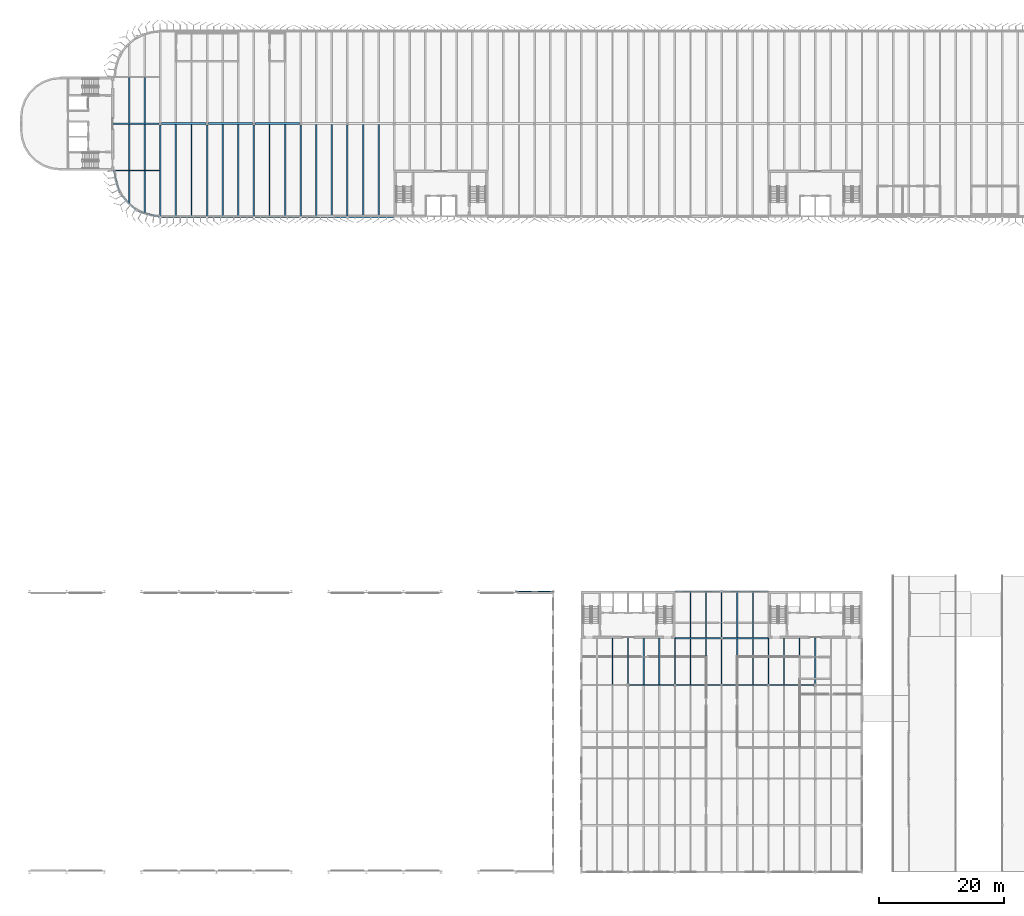
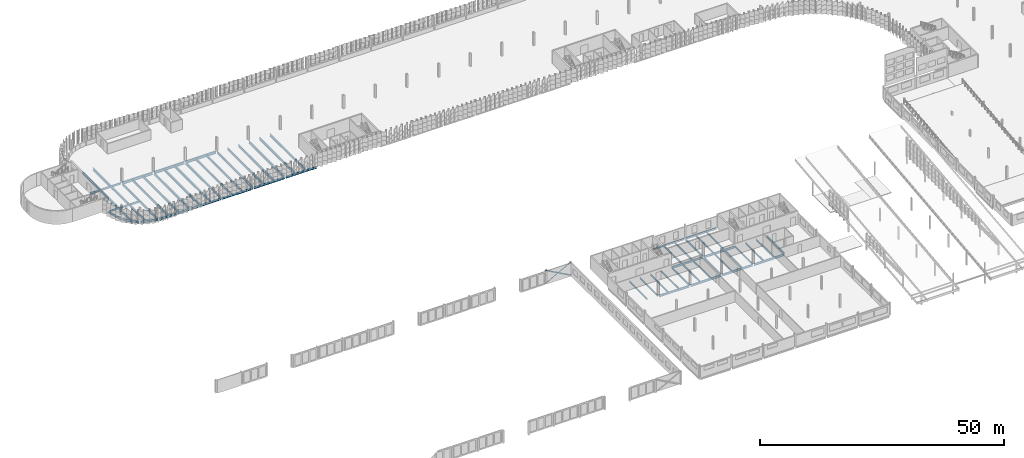
# One storey, part 30 of 199: 61 beams, 3 members.
"""IFC4 building model written with IfcOpenShell, lengths in metres."""

from ifc_helpers import new_model, si_unit, direction, frame, origin, origin_2d, place, context, subcontext, project, spatial, hollow_circle, i_section, extrude, material, material_profile, profile_set, type_object, element, save


model = new_model("IFC4")

# Units and contexts
model_context = context("Model", 3, precision=1e-05, world=origin(), true_north=direction((0.0, 1.0)))
body_context = subcontext(model_context, "Body", "Model", "MODEL_VIEW")
ifc_project = project(units=[si_unit("LENGTHUNIT", "METRE"), si_unit("AREAUNIT", "SQUARE_METRE"), si_unit("VOLUMEUNIT", "CUBIC_METRE"), si_unit("PLANEANGLEUNIT", "RADIAN"), si_unit("MASSUNIT", "GRAM", prefix="KILO")], contexts=[model_context])

# Site, building, storey
site_placement = place(None, origin())
site = spatial("IfcSite", under=ifc_project, at=site_placement, CompositionType="ELEMENT")
building_placement = place(site_placement, origin())
building = spatial("IfcBuilding", under=site, at=building_placement, Name="Parallax Yard Mobility Hub", CompositionType="ELEMENT")
storey_placement = place(building_placement, frame((0.0, 0.0, 9.89990234375)))
storey = spatial("IfcBuildingStorey", under=building, at=storey_placement, Name="L03", CompositionType="ELEMENT", Elevation=9.89990234375)

# Beams
ifc_material_1 = material(Name="Steel ASTM A992", Category="steel")
ifc_material_profile_1 = material_profile(ifc_material_1, i_section(OverallWidth=0.177978515625, OverallDepth=0.406005859375, WebThickness=0.0078125, FlangeThickness=0.0126953125, FilletRadius=0.01025390625, at=origin_2d()), Name="W410x60")
ifc_profile_set_1 = profile_set([ifc_material_profile_1], Name="Steel ASTM A992")
beam_type_1 = type_object("IfcBeamType", Name="W410x60 secondary beam", PredefinedType="JOIST", material=ifc_profile_set_1)
beam_1_placement = place(storey_placement, frame((107.5, 37.6044921875, -0.343017578125), z_axis=(0.0, 1.0, 0.0), x_axis=(-1.0, 0.0, 0.0)))
element("IfcBeam", 1, at=beam_1_placement, inside=storey, type_object=beam_type_1, Name="Secondary beam B1 level L03, 2.5 m east of line 15 of mobility service centre and workshops, span 5", PredefinedType="JOIST", context=body_context, shape_type="SweptSolid", body=[
    extrude(i_section(OverallWidth=0.177978515625, OverallDepth=0.406005859375, WebThickness=0.0078125, FlangeThickness=0.0126953125, FilletRadius=0.01025390625, at=origin_2d()), origin(), (0.0, 0.0, 1.0), 7.3955078125),
])
beam_2_placement = place(storey_placement, frame((115.0, 37.6044921875, -0.343017578125), z_axis=(0.0, 1.0, 0.0), x_axis=(-1.0, 0.0, 0.0)))
element("IfcBeam", 2, at=beam_2_placement, inside=storey, type_object=beam_type_1, Name="Secondary beam B1 level L03, 2.5 m east of line 16 of mobility service centre and workshops, span 5", PredefinedType="JOIST", context=body_context, shape_type="SweptSolid", body=[
    extrude(i_section(OverallWidth=0.177978515625, OverallDepth=0.406005859375, WebThickness=0.0078125, FlangeThickness=0.0126953125, FilletRadius=0.01025390625, at=origin_2d()), origin(), (0.0, 0.0, 1.0), 7.291015625),
])
beam_3_placement = place(storey_placement, frame((115.0, 45.1044921875, -0.343017578125), z_axis=(0.0, 1.0, 0.0), x_axis=(-1.0, 0.0, 0.0)))
element("IfcBeam", 3, at=beam_3_placement, inside=storey, type_object=beam_type_1, Name="Secondary beam B1 level L03, 2.5 m east of line 16 of mobility service centre and workshops, span 6", PredefinedType="JOIST", context=body_context, shape_type="SweptSolid", body=[
    extrude(i_section(OverallWidth=0.177978515625, OverallDepth=0.406005859375, WebThickness=0.0078125, FlangeThickness=0.0126953125, FilletRadius=0.01025390625, at=origin_2d()), origin(), (0.0, 0.0, 1.0), 7.305908203125),
])
beam_4_placement = place(storey_placement, frame((122.5, 37.6044921875, -0.343017578125), z_axis=(0.0, 1.0, 0.0), x_axis=(-1.0, 0.0, 0.0)))
element("IfcBeam", 4, at=beam_4_placement, inside=storey, type_object=beam_type_1, Name="Secondary beam B1 level L03, 2.5 m east of line 17 of mobility service centre and workshops, span 5", PredefinedType="JOIST", context=body_context, shape_type="SweptSolid", body=[
    extrude(i_section(OverallWidth=0.177978515625, OverallDepth=0.406005859375, WebThickness=0.0078125, FlangeThickness=0.0126953125, FilletRadius=0.01025390625, at=origin_2d()), origin(), (0.0, 0.0, 1.0), 7.291015625),
])
beam_5_placement = place(storey_placement, frame((122.5, 45.1044921875, -0.343017578125), z_axis=(0.0, 1.0, 0.0), x_axis=(-1.0, 0.0, 0.0)))
element("IfcBeam", 5, at=beam_5_placement, inside=storey, type_object=beam_type_1, Name="Secondary beam B1 level L03, 2.5 m east of line 17 of mobility service centre and workshops, span 6", PredefinedType="JOIST", context=body_context, shape_type="SweptSolid", body=[
    extrude(i_section(OverallWidth=0.177978515625, OverallDepth=0.406005859375, WebThickness=0.0078125, FlangeThickness=0.0126953125, FilletRadius=0.01025390625, at=origin_2d()), origin(), (0.0, 0.0, 1.0), 7.305908203125),
])
for number, where, z_axis, x_axis, name in (
    (6, (130.0, 37.6044921875, -0.343017578125), (0.0, 1.0, 0.0), (-1.0, 0.0, 0.0), "Secondary beam B1 level L03, 2.5 m east of line 18 of mobility service centre and workshops, span 5"),
    (7, (102.5, 37.6044921875, -0.343017578125), (0.0, 1.0, 0.0), (-1.0, 0.0, 0.0), "Secondary beam B1 level L03, 5 m east of line 14 of mobility service centre and workshops, span 5"),
    (8, (110.0, 37.6044921875, -0.343017578125), (0.0, 1.0, 0.0), (-1.0, 0.0, 0.0), "Secondary beam B1 level L03, 5 m east of line 15 of mobility service centre and workshops, span 5"),
):
    element("IfcBeam", number, at=place(storey_placement, frame(where, z_axis=z_axis, x_axis=x_axis)), inside=storey, type_object=beam_type_1, Name=name, PredefinedType="JOIST", context=body_context, shape_type="SweptSolid", body=[
        extrude(i_section(OverallWidth=0.177978515625, OverallDepth=0.406005859375, WebThickness=0.0078125, FlangeThickness=0.0126953125, FilletRadius=0.01025390625, at=origin_2d()), origin(), (0.0, 0.0, 1.0), 7.3955078125),
    ])
beam_6_placement = place(storey_placement, frame((117.5, 37.6044921875, -0.343017578125), z_axis=(0.0, 1.0, 0.0), x_axis=(-1.0, 0.0, 0.0)))
element("IfcBeam", 9, at=beam_6_placement, inside=storey, type_object=beam_type_1, Name="Secondary beam B1 level L03, 5 m east of line 16 of mobility service centre and workshops, span 5", PredefinedType="JOIST", context=body_context, shape_type="SweptSolid", body=[
    extrude(i_section(OverallWidth=0.177978515625, OverallDepth=0.406005859375, WebThickness=0.0078125, FlangeThickness=0.0126953125, FilletRadius=0.01025390625, at=origin_2d()), origin(), (0.0, 0.0, 1.0), 7.291015625),
])
beam_7_placement = place(storey_placement, frame((117.5, 45.1044921875, -0.343017578125), z_axis=(0.0, 1.0, 0.0), x_axis=(-1.0, 0.0, 0.0)))
element("IfcBeam", 10, at=beam_7_placement, inside=storey, type_object=beam_type_1, Name="Secondary beam B1 level L03, 5 m east of line 16 of mobility service centre and workshops, span 6", PredefinedType="JOIST", context=body_context, shape_type="SweptSolid", body=[
    extrude(i_section(OverallWidth=0.177978515625, OverallDepth=0.406005859375, WebThickness=0.0078125, FlangeThickness=0.0126953125, FilletRadius=0.01025390625, at=origin_2d()), origin(), (0.0, 0.0, 1.0), 7.305908203125),
])
beam_8_placement = place(storey_placement, frame((125.0, 37.6044921875, -0.343017578125), z_axis=(0.0, 1.0, 0.0), x_axis=(-1.0, 0.0, 0.0)))
element("IfcBeam", 11, at=beam_8_placement, inside=storey, type_object=beam_type_1, Name="Secondary beam B1 level L03, 5 m east of line 17 of mobility service centre and workshops, span 5", PredefinedType="JOIST", context=body_context, shape_type="SweptSolid", body=[
    extrude(i_section(OverallWidth=0.177978515625, OverallDepth=0.406005859375, WebThickness=0.0078125, FlangeThickness=0.0126953125, FilletRadius=0.01025390625, at=origin_2d()), origin(), (0.0, 0.0, 1.0), 7.291015625),
])
beam_9_placement = place(storey_placement, frame((125.0, 45.1044921875, -0.343017578125), z_axis=(0.0, 1.0, 0.0), x_axis=(-1.0, 0.0, 0.0)))
element("IfcBeam", 12, at=beam_9_placement, inside=storey, type_object=beam_type_1, Name="Secondary beam B1 level L03, 5 m east of line 17 of mobility service centre and workshops, span 6", PredefinedType="JOIST", context=body_context, shape_type="SweptSolid", body=[
    extrude(i_section(OverallWidth=0.177978515625, OverallDepth=0.406005859375, WebThickness=0.0078125, FlangeThickness=0.0126953125, FilletRadius=0.01025390625, at=origin_2d()), origin(), (0.0, 0.0, 1.0), 7.305908203125),
])
beam_10_placement = place(storey_placement, frame((132.5, 37.6044921875, -0.343017578125), z_axis=(0.0, 1.0, 0.0), x_axis=(-1.0, 0.0, 0.0)))
element("IfcBeam", 13, at=beam_10_placement, inside=storey, type_object=beam_type_1, Name="Secondary beam B1 level L03, 5 m east of line 18 of mobility service centre and workshops, span 5", PredefinedType="JOIST", context=body_context, shape_type="SweptSolid", body=[
    extrude(i_section(OverallWidth=0.177978515625, OverallDepth=0.406005859375, WebThickness=0.0078125, FlangeThickness=0.0126953125, FilletRadius=0.01025390625, at=origin_2d()), origin(), (0.0, 0.0, 1.0), 7.3955078125),
])
ifc_material_profile_2 = material_profile(ifc_material_1, i_section(OverallWidth=0.178955078125, OverallDepth=0.408935546875, WebThickness=0.0087890625, FlangeThickness=0.014404296875, FilletRadius=0.01025390625, at=origin_2d()), Name="W410x67")
ifc_profile_set_2 = profile_set([ifc_material_profile_2], Name="Steel ASTM A992")
beam_type_2 = type_object("IfcBeamType", Name="W410x67 edge beam", PredefinedType="SPANDREL", material=ifc_profile_set_2)
for number, where, z_axis, x_axis, name in (
    (14, (112.5, 52.5, -0.344482421875), (1.0, 0.0, 0.0), (0.0, 1.0, 0.0), "Edge beam SB3 level L03, line H of mobility service centre and workshops, span 1"),
    (15, (120.155029296875, 52.5, -0.344482421875), (1.0, 0.0, 0.0), (0.0, 1.0, 0.0), "Edge beam SB3 level L03, line H of mobility service centre and workshops, span 2"),
):
    element("IfcBeam", number, at=place(storey_placement, frame(where, z_axis=z_axis, x_axis=x_axis)), inside=storey, type_object=beam_type_2, Name=name, PredefinedType="SPANDREL", context=body_context, shape_type="SweptSolid", body=[
        extrude(i_section(OverallWidth=0.178955078125, OverallDepth=0.408935546875, WebThickness=0.0087890625, FlangeThickness=0.014404296875, FilletRadius=0.01025390625, at=origin_2d()), origin(), (0.0, 0.0, 1.0), 7.344970703125),
    ])
ifc_material_profile_3 = material_profile(ifc_material_1, i_section(OverallWidth=0.178955078125, OverallDepth=0.408935546875, WebThickness=0.0087890625, FlangeThickness=0.014404296875, FilletRadius=0.01025390625, at=origin_2d()), Name="W410x67")
ifc_profile_set_3 = profile_set([ifc_material_profile_3], Name="Steel ASTM A992")
beam_type_3 = type_object("IfcBeamType", Name="W410x67 girder", PredefinedType="BEAM", material=ifc_profile_set_3)
beam_11_placement = place(storey_placement, frame((105.0, 37.68798828125, -0.344482421875), z_axis=(0.0, 1.0, 0.0), x_axis=(-1.0, 0.0, 0.0)))
element("IfcBeam", 16, at=beam_11_placement, inside=storey, type_object=beam_type_3, Name="Girder G1 level L03, line 15 of mobility service centre and workshops, span 5", PredefinedType="BEAM", context=body_context, shape_type="SweptSolid", body=[
    extrude(i_section(OverallWidth=0.178955078125, OverallDepth=0.408935546875, WebThickness=0.0087890625, FlangeThickness=0.014404296875, FilletRadius=0.01025390625, at=origin_2d()), origin(), (0.0, 0.0, 1.0), 7.31201171875),
])
beam_12_placement = place(storey_placement, frame((112.5, 37.658935546875, -0.344482421875), z_axis=(0.0, 1.0, 0.0), x_axis=(-1.0, 0.0, 0.0)))
element("IfcBeam", 17, at=beam_12_placement, inside=storey, type_object=beam_type_3, Name="Girder G1 level L03, line 16 of mobility service centre and workshops, span 5", PredefinedType="BEAM", context=body_context, shape_type="SweptSolid", body=[
    extrude(i_section(OverallWidth=0.178955078125, OverallDepth=0.408935546875, WebThickness=0.0087890625, FlangeThickness=0.014404296875, FilletRadius=0.01025390625, at=origin_2d()), origin(), (0.0, 0.0, 1.0), 7.341064453125),
])
beam_13_placement = place(storey_placement, frame((120.0, 37.653564453125, -0.344482421875), z_axis=(0.0, 1.0, 0.0), x_axis=(-1.0, 0.0, 0.0)))
element("IfcBeam", 18, at=beam_13_placement, inside=storey, type_object=beam_type_3, Name="Girder G1 level L03, line 17 of mobility service centre and workshops, span 5", PredefinedType="BEAM", context=body_context, shape_type="SweptSolid", body=[
    extrude(i_section(OverallWidth=0.178955078125, OverallDepth=0.408935546875, WebThickness=0.0087890625, FlangeThickness=0.014404296875, FilletRadius=0.01025390625, at=origin_2d()), origin(), (0.0, 0.0, 1.0), 7.162353515625),
])
beam_14_placement = place(storey_placement, frame((120.0, 45.18408203125, -0.344482421875), z_axis=(0.0, 1.0, 0.0), x_axis=(-1.0, 0.0, 0.0)))
element("IfcBeam", 19, at=beam_14_placement, inside=storey, type_object=beam_type_3, Name="Girder G1 level L03, line 17 of mobility service centre and workshops, span 6", PredefinedType="BEAM", context=body_context, shape_type="SweptSolid", body=[
    extrude(i_section(OverallWidth=0.178955078125, OverallDepth=0.408935546875, WebThickness=0.0087890625, FlangeThickness=0.014404296875, FilletRadius=0.01025390625, at=origin_2d()), origin(), (0.0, 0.0, 1.0), 7.15185546875),
])
beam_15_placement = place(storey_placement, frame((127.5, 37.658935546875, -0.344482421875), z_axis=(0.0, 1.0, 0.0), x_axis=(-1.0, 0.0, 0.0)))
element("IfcBeam", 20, at=beam_15_placement, inside=storey, type_object=beam_type_3, Name="Girder G1 level L03, line 18 of mobility service centre and workshops, span 5", PredefinedType="BEAM", context=body_context, shape_type="SweptSolid", body=[
    extrude(i_section(OverallWidth=0.178955078125, OverallDepth=0.408935546875, WebThickness=0.0087890625, FlangeThickness=0.014404296875, FilletRadius=0.01025390625, at=origin_2d()), origin(), (0.0, 0.0, 1.0), 7.341064453125),
])
beam_16_placement = place(storey_placement, frame((135.0, 37.68798828125, -0.344482421875), z_axis=(0.0, 1.0, 0.0), x_axis=(-1.0, 0.0, 0.0)))
element("IfcBeam", 21, at=beam_16_placement, inside=storey, type_object=beam_type_3, Name="Girder G1 level L03, line 19 of mobility service centre and workshops, span 5", PredefinedType="BEAM", context=body_context, shape_type="SweptSolid", body=[
    extrude(i_section(OverallWidth=0.178955078125, OverallDepth=0.408935546875, WebThickness=0.0087890625, FlangeThickness=0.014404296875, FilletRadius=0.01025390625, at=origin_2d()), origin(), (0.0, 0.0, 1.0), 7.31201171875),
])
ifc_material_profile_4 = material_profile(ifc_material_1, i_section(OverallWidth=0.19091796875, OverallDepth=0.45703125, WebThickness=0.009033203125, FlangeThickness=0.014404296875, FilletRadius=0.01025390625, at=origin_2d()), Name="W460x74")
ifc_profile_set_4 = profile_set([ifc_material_profile_4], Name="Steel ASTM A992")
beam_type_4 = type_object("IfcBeamType", Name="W460x74 longitudinal beam", PredefinedType="BEAM", material=ifc_profile_set_4)
beam_17_placement = place(storey_placement, frame((22.608154296875, 120.0, -0.368408203125), z_axis=(1.0, 0.0, 0.0), x_axis=(0.0, 1.0, 0.0)))
element("IfcBeam", 22, at=beam_17_placement, inside=storey, type_object=beam_type_4, Name="Longitudinal beam SB4 level L03, line S of ramped parking decks, span 1", PredefinedType="BEAM", context=body_context, shape_type="SweptSolid", body=[
    extrude(i_section(OverallWidth=0.19091796875, OverallDepth=0.45703125, WebThickness=0.009033203125, FlangeThickness=0.014404296875, FilletRadius=0.01025390625, at=origin_2d()), origin(), (0.0, 0.0, 1.0), 7.27734375),
])
beam_18_placement = place(storey_placement, frame((22.5, 127.5, -0.368408203125), z_axis=(1.0, 0.0, 0.0), x_axis=(0.0, 1.0, 0.0)))
element("IfcBeam", 23, at=beam_18_placement, inside=storey, type_object=beam_type_4, Name="Longitudinal beam SB4 level L03, line T of ramped parking decks, span 20", PredefinedType="BEAM", context=body_context, shape_type="SweptSolid", body=[
    extrude(i_section(OverallWidth=0.19091796875, OverallDepth=0.45703125, WebThickness=0.009033203125, FlangeThickness=0.014404296875, FilletRadius=0.01025390625, at=origin_2d()), origin(), (0.0, 0.0, 1.0), 7.302001953125),
])
ifc_material_profile_5 = material_profile(ifc_material_1, i_section(OverallWidth=0.208984375, OverallDepth=0.532958984375, WebThickness=0.01025390625, FlangeThickness=0.015625, FilletRadius=0.0126953125, at=origin_2d()), Name="W530x92")
ifc_profile_set_5 = profile_set([ifc_material_profile_5], Name="Steel ASTM A992")
beam_type_5 = type_object("IfcBeamType", Name="W530x92 edge beam", PredefinedType="SPANDREL", material=ifc_profile_set_5)
beam_19_placement = place(storey_placement, frame((30.153564453125, 112.5, -0.406494140625), z_axis=(1.0, 0.0, 0.0), x_axis=(0.0, 1.0, 0.0)))
element("IfcBeam", 24, at=beam_19_placement, inside=storey, type_object=beam_type_5, Name="Edge beam SB5 level L03, line R of ramped parking decks, span 1", PredefinedType="SPANDREL", context=body_context, shape_type="SweptSolid", body=[
    extrude(i_section(OverallWidth=0.208984375, OverallDepth=0.532958984375, WebThickness=0.01025390625, FlangeThickness=0.015625, FilletRadius=0.0126953125, at=origin_2d()), origin(), (0.0, 0.0, 1.0), 7.19384765625),
])
for number, where, z_axis, x_axis, name in (
    (25, (37.652587890625, 112.5, -0.406494140625), (1.0, 0.0, 0.0), (0.0, 1.0, 0.0), "Edge beam SB5 level L03, line R of ramped parking decks, span 2"),
    (26, (45.152587890625, 112.5, -0.406494140625), (1.0, 0.0, 0.0), (0.0, 1.0, 0.0), "Edge beam SB5 level L03, line R of ramped parking decks, span 3"),
):
    element("IfcBeam", number, at=place(storey_placement, frame(where, z_axis=z_axis, x_axis=x_axis)), inside=storey, type_object=beam_type_5, Name=name, PredefinedType="SPANDREL", context=body_context, shape_type="SweptSolid", body=[
        extrude(i_section(OverallWidth=0.208984375, OverallDepth=0.532958984375, WebThickness=0.01025390625, FlangeThickness=0.015625, FilletRadius=0.0126953125, at=origin_2d()), origin(), (0.0, 0.0, 1.0), 7.19482421875),
    ])
beam_20_placement = place(storey_placement, frame((52.652587890625, 112.5, -0.406494140625), z_axis=(1.0, 0.0, 0.0), x_axis=(0.0, 1.0, 0.0)))
element("IfcBeam", 27, at=beam_20_placement, inside=storey, type_object=beam_type_5, Name="Edge beam SB5 level L03, line R of ramped parking decks, span 4", PredefinedType="SPANDREL", context=body_context, shape_type="SweptSolid", body=[
    extrude(i_section(OverallWidth=0.208984375, OverallDepth=0.532958984375, WebThickness=0.01025390625, FlangeThickness=0.015625, FilletRadius=0.0126953125, at=origin_2d()), origin(), (0.0, 0.0, 1.0), 7.160888671875),
])
beam_21_placement = place(storey_placement, frame((60.1865234375, 112.5, -0.406494140625), z_axis=(1.0, 0.0, 0.0), x_axis=(0.0, 1.0, 0.0)))
element("IfcBeam", 28, at=beam_21_placement, inside=storey, type_object=beam_type_5, Name="Edge beam SB5 level L03, line R of ramped parking decks, span 5", PredefinedType="SPANDREL", context=body_context, shape_type="SweptSolid", body=[
    extrude(i_section(OverallWidth=0.208984375, OverallDepth=0.532958984375, WebThickness=0.01025390625, FlangeThickness=0.015625, FilletRadius=0.0126953125, at=origin_2d()), origin(), (0.0, 0.0, 1.0), 7.3134765625),
])
beam_22_placement = place(storey_placement, frame((22.5, 120.0, -0.406494140625), z_axis=(0.2588092838, -0.965928441769, 0.0), x_axis=(0.965928441769, 0.2588092838, 0.0)))
element("IfcBeam", 29, at=beam_22_placement, inside=storey, type_object=beam_type_5, Name="Edge beam SB5 level L03, the west end of ramped parking decks, span 1", PredefinedType="SPANDREL", context=body_context, shape_type="SweptSolid", body=[
    extrude(i_section(OverallWidth=0.208984375, OverallDepth=0.532958984375, WebThickness=0.01025390625, FlangeThickness=0.015625, FilletRadius=0.0126953125, at=origin_2d()), origin(), (0.0, 0.0, 1.0), 3.723388671875),
])
beam_23_placement = place(storey_placement, frame((23.6572265625, 116.097412109375, -0.406494140625), z_axis=(0.707106781187, -0.707106781187, 0.0), x_axis=(0.707106781187, 0.707106781187, 0.0)))
element("IfcBeam", 30, at=beam_23_placement, inside=storey, type_object=beam_type_5, Name="Edge beam SB5 level L03, the west end of ramped parking decks, span 3", PredefinedType="SPANDREL", context=body_context, shape_type="SweptSolid", body=[
    extrude(i_section(OverallWidth=0.208984375, OverallDepth=0.532958984375, WebThickness=0.01025390625, FlangeThickness=0.015625, FilletRadius=0.0126953125, at=origin_2d()), origin(), (0.0, 0.0, 1.0), 3.450927734375),
])
beam_24_placement = place(storey_placement, frame((26.402587890625, 113.4638671875, -0.406494140625), z_axis=(0.965920541607, -0.258838766998, 0.0), x_axis=(0.258838766998, 0.965920541607, 0.0)))
element("IfcBeam", 31, at=beam_24_placement, inside=storey, type_object=beam_type_5, Name="Edge beam SB5 level L03, the west end of ramped parking decks, span 5", PredefinedType="SPANDREL", context=body_context, shape_type="SweptSolid", body=[
    extrude(i_section(OverallWidth=0.208984375, OverallDepth=0.532958984375, WebThickness=0.01025390625, FlangeThickness=0.015625, FilletRadius=0.0126953125, at=origin_2d()), origin(), (0.0, 0.0, 1.0), 3.5654296875),
])
ifc_material_profile_6 = material_profile(ifc_material_1, i_section(OverallWidth=0.208984375, OverallDepth=0.532958984375, WebThickness=0.01025390625, FlangeThickness=0.015625, FilletRadius=0.0126953125, at=origin_2d()), Name="W530x92")
ifc_profile_set_6 = profile_set([ifc_material_profile_6], Name="Steel ASTM A992")
beam_type_6 = type_object("IfcBeamType", Name="W530x92 longitudinal beam", PredefinedType="BEAM", material=ifc_profile_set_6)
beam_25_placement = place(storey_placement, frame((105.197021484375, 37.5, -0.406494140625), z_axis=(1.0, 0.0, 0.0), x_axis=(0.0, 1.0, 0.0)))
element("IfcBeam", 32, at=beam_25_placement, inside=storey, type_object=beam_type_6, Name="Longitudinal beam SB6 level L03, line F of mobility service centre and workshops, span 2", PredefinedType="BEAM", context=body_context, shape_type="SweptSolid", body=[
    extrude(i_section(OverallWidth=0.208984375, OverallDepth=0.532958984375, WebThickness=0.01025390625, FlangeThickness=0.015625, FilletRadius=0.0126953125, at=origin_2d()), origin(), (0.0, 0.0, 1.0), 7.1494140625),
])
for number, where, z_axis, x_axis, name in (
    (33, (112.653564453125, 37.5, -0.406494140625), (1.0, 0.0, 0.0), (0.0, 1.0, 0.0), "Longitudinal beam SB6 level L03, line F of mobility service centre and workshops, span 3"),
    (34, (120.152587890625, 37.5, -0.406494140625), (1.0, 0.0, 0.0), (0.0, 1.0, 0.0), "Longitudinal beam SB6 level L03, line F of mobility service centre and workshops, span 4"),
):
    element("IfcBeam", number, at=place(storey_placement, frame(where, z_axis=z_axis, x_axis=x_axis)), inside=storey, type_object=beam_type_6, Name=name, PredefinedType="BEAM", context=body_context, shape_type="SweptSolid", body=[
        extrude(i_section(OverallWidth=0.208984375, OverallDepth=0.532958984375, WebThickness=0.01025390625, FlangeThickness=0.015625, FilletRadius=0.0126953125, at=origin_2d()), origin(), (0.0, 0.0, 1.0), 7.19384765625),
    ])
beam_26_placement = place(storey_placement, frame((127.653564453125, 37.5, -0.406494140625), z_axis=(1.0, 0.0, 0.0), x_axis=(0.0, 1.0, 0.0)))
element("IfcBeam", 35, at=beam_26_placement, inside=storey, type_object=beam_type_6, Name="Longitudinal beam SB6 level L03, line F of mobility service centre and workshops, span 5", PredefinedType="BEAM", context=body_context, shape_type="SweptSolid", body=[
    extrude(i_section(OverallWidth=0.208984375, OverallDepth=0.532958984375, WebThickness=0.01025390625, FlangeThickness=0.015625, FilletRadius=0.0126953125, at=origin_2d()), origin(), (0.0, 0.0, 1.0), 7.1494140625),
])
for number, where, z_axis, x_axis, name in (
    (36, (112.5, 45.0, -0.406494140625), (1.0, 0.0, 0.0), (0.0, 1.0, 0.0), "Longitudinal beam SB6 level L03, line G of mobility service centre and workshops, span 1"),
    (37, (120.1865234375, 45.0, -0.406494140625), (1.0, 0.0, 0.0), (0.0, 1.0, 0.0), "Longitudinal beam SB6 level L03, line G of mobility service centre and workshops, span 2"),
):
    element("IfcBeam", number, at=place(storey_placement, frame(where, z_axis=z_axis, x_axis=x_axis)), inside=storey, type_object=beam_type_6, Name=name, PredefinedType="BEAM", context=body_context, shape_type="SweptSolid", body=[
        extrude(i_section(OverallWidth=0.208984375, OverallDepth=0.532958984375, WebThickness=0.01025390625, FlangeThickness=0.015625, FilletRadius=0.0126953125, at=origin_2d()), origin(), (0.0, 0.0, 1.0), 7.3134765625),
    ])
ifc_material_profile_7 = material_profile(ifc_material_1, i_section(OverallWidth=0.22802734375, OverallDepth=0.60205078125, WebThickness=0.010498046875, FlangeThickness=0.014892578125, FilletRadius=0.0126953125, at=origin_2d()), Name="W610x101")
ifc_profile_set_7 = profile_set([ifc_material_profile_7], Name="Steel ASTM A992")
beam_type_7 = type_object("IfcBeamType", Name="W610x101 secondary beam", PredefinedType="JOIST", material=ifc_profile_set_7)
beam_27_placement = place(storey_placement, frame((25.0, 114.902587890625, -0.44091796875), z_axis=(0.0, 1.0, 0.0), x_axis=(-1.0, 0.0, 0.0)))
element("IfcBeam", 38, at=beam_27_placement, inside=storey, type_object=beam_type_7, Name="Secondary beam B3 level L03, 2.5 m east of line 4 of ramped parking decks, span 1", PredefinedType="JOIST", context=body_context, shape_type="SweptSolid", body=[
    extrude(i_section(OverallWidth=0.22802734375, OverallDepth=0.60205078125, WebThickness=0.010498046875, FlangeThickness=0.014892578125, FilletRadius=0.0126953125, at=origin_2d()), origin(), (0.0, 0.0, 1.0), 5.001953125),
])
for number, where, z_axis, x_axis, name in (
    (39, (25.0, 120.095458984375, -0.44091796875), (0.0, 1.0, 0.0), (-1.0, 0.0, 0.0), "Secondary beam B3 level L03, 2.5 m east of line 4 of ramped parking decks, span 2"),
    (40, (25.0, 127.595458984375, -0.44091796875), (0.0, 1.0, 0.0), (-1.0, 0.0, 0.0), "Secondary beam B3 level L03, 2.5 m east of line 4 of ramped parking decks, span 3"),
):
    element("IfcBeam", number, at=place(storey_placement, frame(where, z_axis=z_axis, x_axis=x_axis)), inside=storey, type_object=beam_type_7, Name=name, PredefinedType="JOIST", context=body_context, shape_type="SweptSolid", body=[
        extrude(i_section(OverallWidth=0.22802734375, OverallDepth=0.60205078125, WebThickness=0.010498046875, FlangeThickness=0.014892578125, FilletRadius=0.0126953125, at=origin_2d()), origin(), (0.0, 0.0, 1.0), 7.30908203125),
    ])
for number, where, z_axis, x_axis, name in (
    (41, (32.5, 112.6044921875, -0.44091796875), (0.0, 1.0, 0.0), (-1.0, 0.0, 0.0), "Secondary beam B3 level L03, 2.5 m east of line 5 of ramped parking decks, span 1"),
    (42, (40.0, 112.6044921875, -0.44091796875), (0.0, 1.0, 0.0), (-1.0, 0.0, 0.0), "Secondary beam B3 level L03, 2.5 m east of line 6 of ramped parking decks, span 1"),
    (43, (47.5, 112.6044921875, -0.44091796875), (0.0, 1.0, 0.0), (-1.0, 0.0, 0.0), "Secondary beam B3 level L03, 2.5 m east of line 7 of ramped parking decks, span 1"),
    (44, (55.0, 112.6044921875, -0.44091796875), (0.0, 1.0, 0.0), (-1.0, 0.0, 0.0), "Secondary beam B3 level L03, 2.5 m east of line 8 of ramped parking decks, span 1"),
    (45, (62.5, 112.6044921875, -0.44091796875), (0.0, 1.0, 0.0), (-1.0, 0.0, 0.0), "Secondary beam B3 level L03, 2.5 m east of line 9 of ramped parking decks, span 1"),
):
    element("IfcBeam", number, at=place(storey_placement, frame(where, z_axis=z_axis, x_axis=x_axis)), inside=storey, type_object=beam_type_7, Name=name, PredefinedType="JOIST", context=body_context, shape_type="SweptSolid", body=[
        extrude(i_section(OverallWidth=0.22802734375, OverallDepth=0.60205078125, WebThickness=0.010498046875, FlangeThickness=0.014892578125, FilletRadius=0.0126953125, at=origin_2d()), origin(), (0.0, 0.0, 1.0), 14.73291015625),
    ])
beam_28_placement = place(storey_placement, frame((27.5, 113.278076171875, -0.44091796875), z_axis=(0.0, 1.0, 0.0), x_axis=(-1.0, 0.0, 0.0)))
element("IfcBeam", 46, at=beam_28_placement, inside=storey, type_object=beam_type_7, Name="Secondary beam B3 level L03, 5 m east of line 4 of ramped parking decks, span 1", PredefinedType="JOIST", context=body_context, shape_type="SweptSolid", body=[
    extrude(i_section(OverallWidth=0.22802734375, OverallDepth=0.60205078125, WebThickness=0.010498046875, FlangeThickness=0.014892578125, FilletRadius=0.0126953125, at=origin_2d()), origin(), (0.0, 0.0, 1.0), 6.62646484375),
])
for number, where, z_axis, x_axis, name in (
    (47, (27.5, 120.095458984375, -0.44091796875), (0.0, 1.0, 0.0), (-1.0, 0.0, 0.0), "Secondary beam B3 level L03, 5 m east of line 4 of ramped parking decks, span 2"),
    (48, (27.5, 127.595458984375, -0.44091796875), (0.0, 1.0, 0.0), (-1.0, 0.0, 0.0), "Secondary beam B3 level L03, 5 m east of line 4 of ramped parking decks, span 3"),
):
    element("IfcBeam", number, at=place(storey_placement, frame(where, z_axis=z_axis, x_axis=x_axis)), inside=storey, type_object=beam_type_7, Name=name, PredefinedType="JOIST", context=body_context, shape_type="SweptSolid", body=[
        extrude(i_section(OverallWidth=0.22802734375, OverallDepth=0.60205078125, WebThickness=0.010498046875, FlangeThickness=0.014892578125, FilletRadius=0.0126953125, at=origin_2d()), origin(), (0.0, 0.0, 1.0), 7.30908203125),
    ])
for number, where, z_axis, x_axis, name in (
    (49, (35.0, 112.6044921875, -0.44091796875), (0.0, 1.0, 0.0), (-1.0, 0.0, 0.0), "Secondary beam B3 level L03, 5 m east of line 5 of ramped parking decks, span 1"),
    (50, (42.5, 112.6044921875, -0.44091796875), (0.0, 1.0, 0.0), (-1.0, 0.0, 0.0), "Secondary beam B3 level L03, 5 m east of line 6 of ramped parking decks, span 1"),
    (51, (50.0, 112.6044921875, -0.44091796875), (0.0, 1.0, 0.0), (-1.0, 0.0, 0.0), "Secondary beam B3 level L03, 5 m east of line 7 of ramped parking decks, span 1"),
    (52, (57.5, 112.6044921875, -0.44091796875), (0.0, 1.0, 0.0), (-1.0, 0.0, 0.0), "Secondary beam B3 level L03, 5 m east of line 8 of ramped parking decks, span 1"),
    (53, (65.0, 112.6044921875, -0.44091796875), (0.0, 1.0, 0.0), (-1.0, 0.0, 0.0), "Secondary beam B3 level L03, 5 m east of line 9 of ramped parking decks, span 1"),
):
    element("IfcBeam", number, at=place(storey_placement, frame(where, z_axis=z_axis, x_axis=x_axis)), inside=storey, type_object=beam_type_7, Name=name, PredefinedType="JOIST", context=body_context, shape_type="SweptSolid", body=[
        extrude(i_section(OverallWidth=0.22802734375, OverallDepth=0.60205078125, WebThickness=0.010498046875, FlangeThickness=0.014892578125, FilletRadius=0.0126953125, at=origin_2d()), origin(), (0.0, 0.0, 1.0), 14.73291015625),
    ])
ifc_material_profile_8 = material_profile(ifc_material_1, i_section(OverallWidth=0.22900390625, OverallDepth=0.612060546875, WebThickness=0.011962890625, FlangeThickness=0.01953125, FilletRadius=0.0126953125, at=origin_2d()), Name="W610x125")
ifc_profile_set_8 = profile_set([ifc_material_profile_8], Name="Steel ASTM A992")
beam_type_8 = type_object("IfcBeamType", Name="W610x125 girder", PredefinedType="BEAM", material=ifc_profile_set_8)
beam_29_placement = place(storey_placement, frame((30.0, 112.658935546875, -0.44580078125), z_axis=(0.0, 1.0, 0.0), x_axis=(-1.0, 0.0, 0.0)))
element("IfcBeam", 54, at=beam_29_placement, inside=storey, type_object=beam_type_8, Name="Girder G3 level L03, line 5 of ramped parking decks, span 1", PredefinedType="BEAM", context=body_context, shape_type="SweptSolid", body=[
    extrude(i_section(OverallWidth=0.22900390625, OverallDepth=0.612060546875, WebThickness=0.011962890625, FlangeThickness=0.01953125, FilletRadius=0.0126953125, at=origin_2d()), origin(), (0.0, 0.0, 1.0), 14.650634765625),
])
for number, where, z_axis, x_axis, name in (
    (55, (37.5, 112.653564453125, -0.44580078125), (0.0, 1.0, 0.0), (-1.0, 0.0, 0.0), "Girder G3 level L03, line 6 of ramped parking decks, span 1"),
    (56, (45.0, 112.653564453125, -0.44580078125), (0.0, 1.0, 0.0), (-1.0, 0.0, 0.0), "Girder G3 level L03, line 7 of ramped parking decks, span 1"),
    (57, (52.5, 112.653564453125, -0.44580078125), (0.0, 1.0, 0.0), (-1.0, 0.0, 0.0), "Girder G3 level L03, line 8 of ramped parking decks, span 1"),
):
    element("IfcBeam", number, at=place(storey_placement, frame(where, z_axis=z_axis, x_axis=x_axis)), inside=storey, type_object=beam_type_8, Name=name, PredefinedType="BEAM", context=body_context, shape_type="SweptSolid", body=[
        extrude(i_section(OverallWidth=0.22900390625, OverallDepth=0.612060546875, WebThickness=0.011962890625, FlangeThickness=0.01953125, FilletRadius=0.0126953125, at=origin_2d()), origin(), (0.0, 0.0, 1.0), 14.662353515625),
    ])
beam_30_placement = place(storey_placement, frame((60.0, 112.68408203125, -0.44580078125), z_axis=(0.0, 1.0, 0.0), x_axis=(-1.0, 0.0, 0.0)))
element("IfcBeam", 58, at=beam_30_placement, inside=storey, type_object=beam_type_8, Name="Girder G3 level L03, line 9 of ramped parking decks, span 1", PredefinedType="BEAM", context=body_context, shape_type="SweptSolid", body=[
    extrude(i_section(OverallWidth=0.22900390625, OverallDepth=0.612060546875, WebThickness=0.011962890625, FlangeThickness=0.01953125, FilletRadius=0.0126953125, at=origin_2d()), origin(), (0.0, 0.0, 1.0), 14.6318359375),
])
ifc_material_profile_9 = material_profile(ifc_material_1, i_section(OverallWidth=0.324951171875, OverallDepth=0.612060546875, WebThickness=0.0126953125, FlangeThickness=0.01904296875, FilletRadius=0.0126953125, at=origin_2d()), Name="W610x155")
ifc_profile_set_9 = profile_set([ifc_material_profile_9], Name="Steel ASTM A992")
beam_type_9 = type_object("IfcBeamType", Name="W610x155 longitudinal beam", PredefinedType="BEAM", material=ifc_profile_set_9)
beam_31_placement = place(storey_placement, frame((30.197998046875, 127.5, -0.44580078125), z_axis=(1.0, 0.0, 0.0), x_axis=(0.0, 1.0, 0.0)))
element("IfcBeam", 59, at=beam_31_placement, inside=storey, type_object=beam_type_9, Name="Longitudinal beam SB8 level L03, line T of ramped parking decks, span 1", PredefinedType="BEAM", context=body_context, shape_type="SweptSolid", body=[
    extrude(i_section(OverallWidth=0.324951171875, OverallDepth=0.612060546875, WebThickness=0.0126953125, FlangeThickness=0.01904296875, FilletRadius=0.0126953125, at=origin_2d()), origin(), (0.0, 0.0, 1.0), 7.115478515625),
])
for number, where, z_axis, x_axis, name in (
    (60, (37.6865234375, 127.5, -0.44580078125), (1.0, 0.0, 0.0), (0.0, 1.0, 0.0), "Longitudinal beam SB8 level L03, line T of ramped parking decks, span 2"),
    (61, (45.1865234375, 127.5, -0.44580078125), (1.0, 0.0, 0.0), (0.0, 1.0, 0.0), "Longitudinal beam SB8 level L03, line T of ramped parking decks, span 3"),
):
    element("IfcBeam", number, at=place(storey_placement, frame(where, z_axis=z_axis, x_axis=x_axis)), inside=storey, type_object=beam_type_9, Name=name, PredefinedType="BEAM", context=body_context, shape_type="SweptSolid", body=[
        extrude(i_section(OverallWidth=0.324951171875, OverallDepth=0.612060546875, WebThickness=0.0126953125, FlangeThickness=0.01904296875, FilletRadius=0.0126953125, at=origin_2d()), origin(), (0.0, 0.0, 1.0), 7.126953125),
    ])

# Members
ifc_material_2 = material(Name="Steel ASTM A500 Gr C", Category="steel")
ifc_material_profile_10 = material_profile(ifc_material_2, hollow_circle(Radius=0.0888671875, WallThickness=0.0078125, at=origin_2d()), Name="HSS177.8x7.9")
ifc_profile_set_10 = profile_set([ifc_material_profile_10], Name="Steel ASTM A500 Gr C")
member_type = type_object("IfcMemberType", Name="Wall brace HSS177.8x7.9", PredefinedType="BRACE", material=ifc_profile_set_10)
member_placement = place(storey_placement, frame((93.0, 52.5, 0.0), z_axis=(-0.876212897641, 0.0, 0.481924224341), x_axis=(0.0, -1.0, 0.0)))
element("IfcMember", 62, at=member_placement, inside=storey, type_object=member_type, Name="X brace east end bay north face level 3 2", PredefinedType="BRACE", context=body_context, shape_type="SweptSolid", body=[
    extrude(hollow_circle(Radius=0.0888671875, WallThickness=0.0078125, at=origin_2d()), origin(), (0.0, 0.0, 1.0), 6.84765625),
])
for number, where, z_axis, x_axis, name in (
    (63, (87.0, 52.5, 0.0), (0.876220551786, 0.0, 0.481910307659), (0.0, 1.0, 0.0), "X brace east end bay north face level 3 1 (half 1)"),
    (64, (90.081787109375, 52.5, 1.695068359375), (0.876220551786, 0.0, 0.481910307659), (0.0, 1.0, 0.0), "X brace east end bay north face level 3 1 (half 2)"),
):
    element("IfcMember", number, at=place(storey_placement, frame(where, z_axis=z_axis, x_axis=x_axis)), inside=storey, type_object=member_type, Name=name, PredefinedType="BRACE", context=body_context, shape_type="SweptSolid", body=[
        extrude(hollow_circle(Radius=0.0888671875, WallThickness=0.0078125, at=origin_2d()), origin(), (0.0, 0.0, 1.0), 3.33056640625),
    ])

save(model, "model.ifc")
